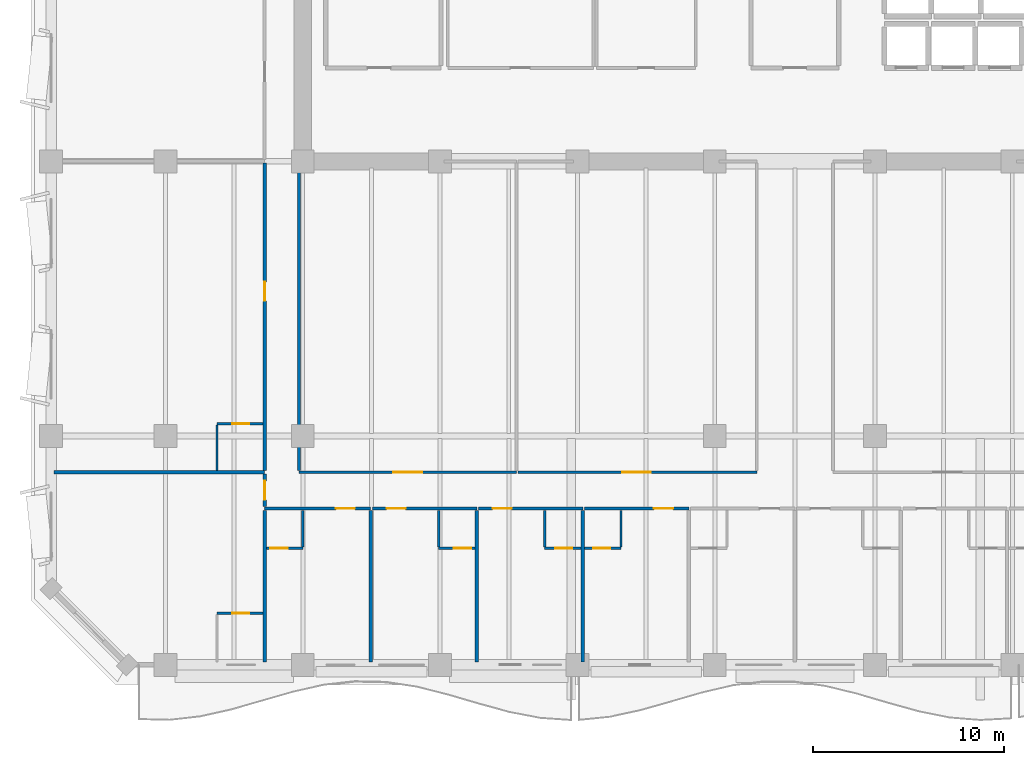
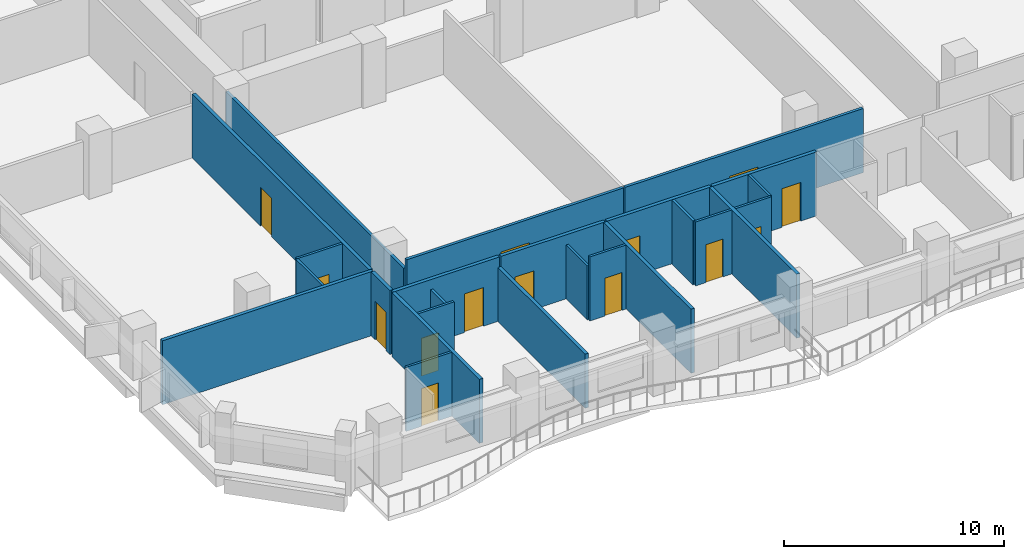
# One storey, part 4 of 15: 25 walls, 14 doors, 14 openings.
"""IFC4 building model written with IfcOpenShell, lengths in metres."""

from ifc_helpers import new_model, si_unit, direction, frame, frame_2d, origin, place, context, subcontext, project, spatial, rectangle, extrude, material, layer, layer_set, type_object, element, fill, save


model = new_model("IFC4")

# Units and contexts
model_context = context("Model", 3, precision=1e-05, world=origin(), true_north=direction((0.0, 1.0)))
body_context = subcontext(model_context, "Body", "Model", "MODEL_VIEW")
ifc_project = project(units=[si_unit("LENGTHUNIT", "METRE"), si_unit("AREAUNIT", "SQUARE_METRE"), si_unit("VOLUMEUNIT", "CUBIC_METRE"), si_unit("PLANEANGLEUNIT", "RADIAN"), si_unit("MASSUNIT", "GRAM", prefix="KILO")], contexts=[model_context])

# Site, building, storey
site_placement = place(None, origin())
site = spatial("IfcSite", under=ifc_project, at=site_placement, CompositionType="ELEMENT")
building_placement = place(site_placement, origin())
building = spatial("IfcBuilding", under=site, at=building_placement, Name="Kaelvorn Grand Hotel", CompositionType="ELEMENT")
storey_placement = place(building_placement, frame((0.0, 0.0, 142.949951171875)))
storey = spatial("IfcBuildingStorey", under=building, at=storey_placement, Name="L34", CompositionType="ELEMENT", Elevation=142.949951171875)

# Wall, opening, door
ifc_material_1 = material(Name="Moisture-Resistant Tile & Stud Board")
ifc_layer_1 = layer(ifc_material_1, 0.125)
ifc_layer_set_1 = layer_set([ifc_layer_1], Name="Moisture-Resistant Tile & Stud Board")
wall_type_1 = type_object("IfcWallType", Name="WL-PART-125-WET", PredefinedType="PARTITIONING", material=ifc_layer_set_1)
wall_1_placement = place(storey_placement, frame((14.294921875, 9.110107421875, 0.0), z_axis=(0.0, 0.0, 1.0), x_axis=(1.0, 0.0, 0.0)))
wall_1 = element("IfcWall", 1, at=wall_1_placement, inside=storey, type_object=wall_type_1, Name="L34 En-suite Bathroom L34-01 S Partition", PredefinedType="PARTITIONING", context=body_context, shape_type="SweptSolid", body=[
    extrude(rectangle(XDim=1.905029296875, YDim=0.125, at=frame_2d((0.95263671875, 0.0))), origin(), (0.0, 0.0, 1.0), 3.56005859375),
])
opening_1_placement = place(wall_1_placement, frame((0.205078125, 0.0, 0.0)))
opening_1 = element("IfcOpeningElement", 2, at=opening_1_placement, cuts=wall_1, Name="Opening DI4", PredefinedType="OPENING", context=body_context, shape_type="SweptSolid", body=[
    extrude(rectangle(XDim=0.89990234375, YDim=2.10009765625, at=frame_2d((0.449951171875, 1.050048828125))), frame((0.0, 0.072509765625, 0.0), z_axis=(0.0, -1.0, 0.0), x_axis=(1.0, 0.0, 0.0)), (0.0, 0.0, 1.0), 0.14501953125),
])
ifc_material_2 = material(Name="Timber Veneer Leaf", Category="wood")
door_type_1 = type_object("IfcDoorType", Name="DR-INT-BATH-900x2100", OperationType="NOTDEFINED", PredefinedType="DOOR", material=ifc_material_2)
door_1_placement = place(opening_1_placement, origin())
door_1 = element("IfcDoor", 3, at=door_1_placement, inside=storey, type_object=door_type_1, Name="L34 En-suite Bathroom L34-01 Door", OperationType="SINGLE_SWING_RIGHT", OverallHeight=2.10009765625, OverallWidth=0.89990234375, PredefinedType="DOOR", context=body_context, shape_type="SweptSolid", body=[
    extrude(rectangle(XDim=0.89990234375, YDim=2.10009765625, at=frame_2d((0.449951171875, 1.050048828125))), frame((0.0, 0.02490234375, 0.0), z_axis=(0.0, -1.0, 0.0), x_axis=(1.0, 0.0, 0.0)), (0.0, 0.0, 1.0), 0.050048828125),
])
fill(opening_1, door_1)

# Wall
wall_2_placement = place(storey_placement, frame((16.199951171875, 9.177490234375, 0.0), z_axis=(0.0, 0.0, 1.0), x_axis=(0.0, 1.0, 0.0)))
element("IfcWall", 4, at=wall_2_placement, inside=storey, type_object=wall_type_1, Name="L34 En-suite Bathroom L34-01 E Partition", PredefinedType="PARTITIONING", context=body_context, shape_type="SweptSolid", body=[
    extrude(rectangle(XDim=1.927490234375, YDim=0.125, at=frame_2d((0.9638671875, 0.0))), origin(), (0.0, 0.0, 1.0), 3.010009765625),
])

# Wall, opening, door
wall_3_placement = place(storey_placement, frame((23.320068359375, 9.110107421875, 0.0), z_axis=(0.0, 0.0, 1.0), x_axis=(1.0, 0.0, 0.0)))
wall_3 = element("IfcWall", 5, at=wall_3_placement, inside=storey, type_object=wall_type_1, Name="L34 En-suite Bathroom L34-02 S Partition", PredefinedType="PARTITIONING", context=body_context, shape_type="SweptSolid", body=[
    extrude(rectangle(XDim=1.905029296875, YDim=0.125, at=frame_2d((0.95263671875, 0.0))), origin(), (0.0, 0.0, 1.0), 3.56005859375),
])
opening_2_placement = place(wall_3_placement, frame((0.800048828125, 0.0, 0.0)))
opening_2 = element("IfcOpeningElement", 6, at=opening_2_placement, cuts=wall_3, Name="Opening DI4", PredefinedType="OPENING", context=body_context, shape_type="SweptSolid", body=[
    extrude(rectangle(XDim=0.89990234375, YDim=2.10009765625, at=frame_2d((0.449951171875, 1.050048828125))), frame((0.0, 0.072509765625, 0.0), z_axis=(0.0, -1.0, 0.0), x_axis=(1.0, 0.0, 0.0)), (0.0, 0.0, 1.0), 0.14501953125),
])
door_2_placement = place(opening_2_placement, origin())
door_2 = element("IfcDoor", 7, at=door_2_placement, inside=storey, type_object=door_type_1, Name="L34 En-suite Bathroom L34-02 Door", OperationType="SINGLE_SWING_RIGHT", OverallHeight=2.10009765625, OverallWidth=0.89990234375, PredefinedType="DOOR", context=body_context, shape_type="SweptSolid", body=[
    extrude(rectangle(XDim=0.89990234375, YDim=2.10009765625, at=frame_2d((0.449951171875, 1.050048828125))), frame((0.0, 0.02490234375, 0.0), z_axis=(0.0, -1.0, 0.0), x_axis=(1.0, 0.0, 0.0)), (0.0, 0.0, 1.0), 0.050048828125),
])
fill(opening_2, door_2)

# Wall
wall_4_placement = place(storey_placement, frame((23.320068359375, 9.177490234375, 0.0), z_axis=(0.0, 0.0, 1.0), x_axis=(0.0, 1.0, 0.0)))
element("IfcWall", 8, at=wall_4_placement, inside=storey, type_object=wall_type_1, Name="L34 En-suite Bathroom L34-02 W Partition", PredefinedType="PARTITIONING", context=body_context, shape_type="SweptSolid", body=[
    extrude(rectangle(XDim=1.927490234375, YDim=0.125, at=frame_2d((0.9638671875, 0.0))), origin(), (0.0, 0.0, 1.0), 3.010009765625),
])

# Wall, opening, door
wall_5_placement = place(storey_placement, frame((28.8798828125, 9.110107421875, 0.0), z_axis=(0.0, 0.0, 1.0), x_axis=(1.0, 0.0, 0.0)))
wall_5 = element("IfcWall", 9, at=wall_5_placement, inside=storey, type_object=wall_type_1, Name="L34 En-suite Bathroom L34-03 S Partition", PredefinedType="PARTITIONING", context=body_context, shape_type="SweptSolid", body=[
    extrude(rectangle(XDim=1.905029296875, YDim=0.125, at=frame_2d((0.95263671875, 0.0))), origin(), (0.0, 0.0, 1.0), 3.56005859375),
])
opening_3_placement = place(wall_5_placement, frame((0.550048828125, 0.0, 0.0)))
opening_3 = element("IfcOpeningElement", 10, at=opening_3_placement, cuts=wall_5, Name="Opening DI4", PredefinedType="OPENING", context=body_context, shape_type="SweptSolid", body=[
    extrude(rectangle(XDim=0.89990234375, YDim=2.10009765625, at=frame_2d((0.449951171875, 1.050048828125))), frame((0.0, 0.072509765625, 0.0), z_axis=(0.0, -1.0, 0.0), x_axis=(1.0, 0.0, 0.0)), (0.0, 0.0, 1.0), 0.14501953125),
])
door_3_placement = place(opening_3_placement, origin())
door_3 = element("IfcDoor", 11, at=door_3_placement, inside=storey, type_object=door_type_1, Name="L34 En-suite Bathroom L34-03 Door", OperationType="SINGLE_SWING_RIGHT", OverallHeight=2.10009765625, OverallWidth=0.89990234375, PredefinedType="DOOR", context=body_context, shape_type="SweptSolid", body=[
    extrude(rectangle(XDim=0.89990234375, YDim=2.10009765625, at=frame_2d((0.449951171875, 1.050048828125))), frame((0.0, 0.02490234375, 0.0), z_axis=(0.0, -1.0, 0.0), x_axis=(1.0, 0.0, 0.0)), (0.0, 0.0, 1.0), 0.050048828125),
])
fill(opening_3, door_3)

# Wall
wall_6_placement = place(storey_placement, frame((28.8798828125, 9.177490234375, 0.0), z_axis=(0.0, 0.0, 1.0), x_axis=(0.0, 1.0, 0.0)))
element("IfcWall", 12, at=wall_6_placement, inside=storey, type_object=wall_type_1, Name="L34 En-suite Bathroom L34-03 W Partition", PredefinedType="PARTITIONING", context=body_context, shape_type="SweptSolid", body=[
    extrude(rectangle(XDim=1.927490234375, YDim=0.125, at=frame_2d((0.9638671875, 0.0))), origin(), (0.0, 0.0, 1.0), 3.56005859375),
])

# Wall, opening, door
wall_7_placement = place(storey_placement, frame((30.97509765625, 9.110107421875, 0.0), z_axis=(0.0, 0.0, 1.0), x_axis=(1.0, 0.0, 0.0)))
wall_7 = element("IfcWall", 13, at=wall_7_placement, inside=storey, type_object=wall_type_1, Name="L34 En-suite Bathroom L34-04 S Partition", PredefinedType="PARTITIONING", context=body_context, shape_type="SweptSolid", body=[
    extrude(rectangle(XDim=1.90478515625, YDim=0.125, at=frame_2d((0.952392578125, 0.0))), origin(), (0.0, 0.0, 1.0), 3.56005859375),
])
opening_4_placement = place(wall_7_placement, frame((0.455078125, 0.0, 0.0)))
opening_4 = element("IfcOpeningElement", 14, at=opening_4_placement, cuts=wall_7, Name="Opening DI4", PredefinedType="OPENING", context=body_context, shape_type="SweptSolid", body=[
    extrude(rectangle(XDim=0.89990234375, YDim=2.10009765625, at=frame_2d((0.449951171875, 1.050048828125))), frame((0.0, 0.072509765625, 0.0), z_axis=(0.0, -1.0, 0.0), x_axis=(1.0, 0.0, 0.0)), (0.0, 0.0, 1.0), 0.14501953125),
])
door_4_placement = place(opening_4_placement, origin())
door_4 = element("IfcDoor", 15, at=door_4_placement, inside=storey, type_object=door_type_1, Name="L34 En-suite Bathroom L34-04 Door", OperationType="SINGLE_SWING_RIGHT", OverallHeight=2.10009765625, OverallWidth=0.89990234375, PredefinedType="DOOR", context=body_context, shape_type="SweptSolid", body=[
    extrude(rectangle(XDim=0.89990234375, YDim=2.10009765625, at=frame_2d((0.449951171875, 1.050048828125))), frame((0.0, 0.02490234375, 0.0), z_axis=(0.0, -1.0, 0.0), x_axis=(1.0, 0.0, 0.0)), (0.0, 0.0, 1.0), 0.050048828125),
])
fill(opening_4, door_4)

# Wall
wall_8_placement = place(storey_placement, frame((32.8798828125, 9.177490234375, 0.0), z_axis=(0.0, 0.0, 1.0), x_axis=(0.0, 1.0, 0.0)))
element("IfcWall", 16, at=wall_8_placement, inside=storey, type_object=wall_type_1, Name="L34 En-suite Bathroom L34-04 E Partition", PredefinedType="PARTITIONING", context=body_context, shape_type="SweptSolid", body=[
    extrude(rectangle(XDim=1.927490234375, YDim=0.125, at=frame_2d((0.9638671875, 0.0))), origin(), (0.0, 0.0, 1.0), 3.56005859375),
])

# Wall, opening, door
wall_9_placement = place(storey_placement, frame((11.699951171875, 5.699951171875, 0.0), z_axis=(0.0, 0.0, 1.0), x_axis=(1.0, 0.0, 0.0)))
wall_9 = element("IfcWall", 17, at=wall_9_placement, inside=storey, type_object=wall_type_1, Name="L34 En-suite Bathroom L34-11 N Partition", PredefinedType="PARTITIONING", context=body_context, shape_type="SweptSolid", body=[
    extrude(rectangle(XDim=2.405029296875, YDim=0.125, at=frame_2d((1.20263671875, 0.0))), origin(), (0.0, 0.0, 1.0), 3.56005859375),
])
opening_5_placement = place(wall_9_placement, frame((0.800048828125, 0.0, 0.0)))
opening_5 = element("IfcOpeningElement", 18, at=opening_5_placement, cuts=wall_9, Name="Opening DI4", PredefinedType="OPENING", context=body_context, shape_type="SweptSolid", body=[
    extrude(rectangle(XDim=0.89990234375, YDim=2.10009765625, at=frame_2d((0.449951171875, 1.050048828125))), frame((0.0, 0.072509765625, 0.0), z_axis=(0.0, -1.0, 0.0), x_axis=(1.0, 0.0, 0.0)), (0.0, 0.0, 1.0), 0.14501953125),
])
door_5_placement = place(opening_5_placement, origin())
door_5 = element("IfcDoor", 19, at=door_5_placement, inside=storey, type_object=door_type_1, Name="L34 En-suite Bathroom L34-11 Door", OperationType="SINGLE_SWING_RIGHT", OverallHeight=2.10009765625, OverallWidth=0.89990234375, PredefinedType="DOOR", context=body_context, shape_type="SweptSolid", body=[
    extrude(rectangle(XDim=0.89990234375, YDim=2.10009765625, at=frame_2d((0.449951171875, 1.050048828125))), frame((0.0, 0.02490234375, 0.0), z_axis=(0.0, -1.0, 0.0), x_axis=(1.0, 0.0, 0.0)), (0.0, 0.0, 1.0), 0.050048828125),
])
fill(opening_5, door_5)

wall_10_placement = place(storey_placement, frame((11.699951171875, 15.64990234375, 0.0), z_axis=(0.0, 0.0, 1.0), x_axis=(1.0, 0.0, 0.0)))
wall_10 = element("IfcWall", 20, at=wall_10_placement, inside=storey, type_object=wall_type_1, Name="L34 En-suite Bathroom L34-12 N Partition", PredefinedType="PARTITIONING", context=body_context, shape_type="SweptSolid", body=[
    extrude(rectangle(XDim=2.405029296875, YDim=0.125, at=frame_2d((1.20263671875, 0.0))), origin(), (0.0, 0.0, 1.0), 3.56005859375),
])
opening_6_placement = place(wall_10_placement, frame((0.800048828125, 0.0, 0.0)))
opening_6 = element("IfcOpeningElement", 21, at=opening_6_placement, cuts=wall_10, Name="Opening DI4", PredefinedType="OPENING", context=body_context, shape_type="SweptSolid", body=[
    extrude(rectangle(XDim=0.89990234375, YDim=2.10009765625, at=frame_2d((0.449951171875, 1.050048828125))), frame((0.0, 0.072509765625, 0.0), z_axis=(0.0, -1.0, 0.0), x_axis=(1.0, 0.0, 0.0)), (0.0, 0.0, 1.0), 0.14501953125),
])
door_6_placement = place(opening_6_placement, origin())
door_6 = element("IfcDoor", 22, at=door_6_placement, inside=storey, type_object=door_type_1, Name="L34 En-suite Bathroom L34-12 Door", OperationType="SINGLE_SWING_RIGHT", OverallHeight=2.10009765625, OverallWidth=0.89990234375, PredefinedType="DOOR", context=body_context, shape_type="SweptSolid", body=[
    extrude(rectangle(XDim=0.89990234375, YDim=2.10009765625, at=frame_2d((0.449951171875, 1.050048828125))), frame((0.0, 0.02490234375, 0.0), z_axis=(0.0, -1.0, 0.0), x_axis=(1.0, 0.0, 0.0)), (0.0, 0.0, 1.0), 0.050048828125),
])
fill(opening_6, door_6)

# Wall
wall_11_placement = place(storey_placement, frame((11.699951171875, 13.195068359375, 0.0), z_axis=(0.0, 0.0, 1.0), x_axis=(0.0, 1.0, 0.0)))
element("IfcWall", 23, at=wall_11_placement, inside=storey, type_object=wall_type_1, Name="L34 En-suite Bathroom L34-12 W Partition", PredefinedType="PARTITIONING", context=body_context, shape_type="SweptSolid", body=[
    extrude(rectangle(XDim=2.387451171875, YDim=0.125, at=frame_2d((1.19384765625, 0.0))), origin(), (0.0, 0.0, 1.0), 3.56005859375),
])

# Wall, opening, door
ifc_material_3 = material(Name="Acoustic Gypsum & Stud Partition")
ifc_layer_2 = layer(ifc_material_3, 0.14990234375)
ifc_layer_set_2 = layer_set([ifc_layer_2], Name="Acoustic Gypsum & Stud Partition")
wall_type_2 = type_object("IfcWallType", Name="WL-PART-150-EI60", PredefinedType="PARTITIONING", material=ifc_layer_set_2)
wall_12_placement = place(storey_placement, frame((16.0, 13.10009765625, 0.0), z_axis=(0.0, 0.0, 1.0), x_axis=(1.0, 0.0, 0.0)))
wall_12 = element("IfcWall", 24, at=wall_12_placement, inside=storey, type_object=wall_type_2, Name="L34 Private Dining Restaurant S Partition", PredefinedType="PARTITIONING", context=body_context, shape_type="SweptSolid", body=[
    extrude(rectangle(XDim=11.39990234375, YDim=0.14990234375, at=frame_2d((5.699951171875, 0.0))), origin(), (0.0, 0.0, 1.0), 3.56005859375),
])
opening_7_placement = place(wall_12_placement, frame((4.949951171875, 0.0, 0.0)))
opening_7 = element("IfcOpeningElement", 25, at=opening_7_placement, cuts=wall_12, Name="Opening DI5", PredefinedType="OPENING", context=body_context, shape_type="SweptSolid", body=[
    extrude(rectangle(XDim=1.5, YDim=2.25, at=frame_2d((0.75, 1.125))), frame((0.0, 0.0849609375, 0.0), z_axis=(0.0, -1.0, 0.0), x_axis=(1.0, 0.0, 0.0)), (0.0, 0.0, 1.0), 0.169921875),
])
ifc_material_4 = material(Name="Timber Veneer Fire Leaf", Category="wood")
door_type_2 = type_object("IfcDoorType", Name="DR-INT-SALON-1500x2250", OperationType="DOUBLE_DOOR_SINGLE_SWING", PredefinedType="DOOR", material=ifc_material_4)
door_7_placement = place(opening_7_placement, origin())
door_7 = element("IfcDoor", 26, at=door_7_placement, inside=storey, type_object=door_type_2, Name="L34 Private Dining Restaurant Door", OperationType="DOUBLE_DOOR_SINGLE_SWING", OverallHeight=2.25, OverallWidth=1.5, PredefinedType="DOOR", context=body_context, shape_type="SweptSolid", body=[
    extrude(rectangle(XDim=1.5, YDim=2.25, at=frame_2d((0.75, 1.125))), frame((0.0, 0.02490234375, 0.0), z_axis=(0.0, -1.0, 0.0), x_axis=(1.0, 0.0, 0.0)), (0.0, 0.0, 1.0), 0.050048828125),
])
fill(opening_7, door_7)

# Wall
wall_13_placement = place(storey_placement, frame((16.0, 13.179931640625, 0.0), z_axis=(0.0, 0.0, 1.0), x_axis=(0.0, 1.0, 0.0)))
element("IfcWall", 27, at=wall_13_placement, inside=storey, type_object=wall_type_2, Name="L34 Private Dining Restaurant W Partition", PredefinedType="PARTITIONING", context=body_context, shape_type="SweptSolid", body=[
    extrude(rectangle(XDim=16.2099609375, YDim=0.14990234375, at=frame_2d((8.10498046875, 0.0))), origin(), (0.0, 0.0, 1.0), 3.010009765625),
])

# Wall, opening, door
wall_14_placement = place(storey_placement, frame((27.47998046875, 13.10009765625, 0.0), z_axis=(0.0, 0.0, 1.0), x_axis=(1.0, 0.0, 0.0)))
wall_14 = element("IfcWall", 28, at=wall_14_placement, inside=storey, type_object=wall_type_2, Name="L34 Hospitality Tea Kitchen S Partition", PredefinedType="PARTITIONING", context=body_context, shape_type="SweptSolid", body=[
    extrude(rectangle(XDim=12.52001953125, YDim=0.14990234375, at=frame_2d((6.260009765625, 0.0))), origin(), (0.0, 0.0, 1.0), 3.56005859375),
])
opening_8_placement = place(wall_14_placement, frame((5.469970703125, 0.0, 0.0)))
opening_8 = element("IfcOpeningElement", 29, at=opening_8_placement, cuts=wall_14, Name="Opening DI5", PredefinedType="OPENING", context=body_context, shape_type="SweptSolid", body=[
    extrude(rectangle(XDim=1.5, YDim=2.25, at=frame_2d((0.75, 1.125))), frame((0.0, 0.0849609375, 0.0), z_axis=(0.0, -1.0, 0.0), x_axis=(1.0, 0.0, 0.0)), (0.0, 0.0, 1.0), 0.169921875),
])
door_8_placement = place(opening_8_placement, origin())
door_8 = element("IfcDoor", 30, at=door_8_placement, inside=storey, type_object=door_type_2, Name="L34 Hospitality Tea Kitchen Door", OperationType="DOUBLE_DOOR_SINGLE_SWING", OverallHeight=2.25, OverallWidth=1.5, PredefinedType="DOOR", context=body_context, shape_type="SweptSolid", body=[
    extrude(rectangle(XDim=1.5, YDim=2.25, at=frame_2d((0.75, 1.125))), frame((0.0, 0.02490234375, 0.0), z_axis=(0.0, -1.0, 0.0), x_axis=(1.0, 0.0, 0.0)), (0.0, 0.0, 1.0), 0.050048828125),
])
fill(opening_8, door_8)

ifc_layer_3 = layer(ifc_material_3, 0.179931640625)
ifc_layer_set_3 = layer_set([ifc_layer_3], Name="Acoustic Gypsum & Stud Partition")
wall_type_3 = type_object("IfcWallType", Name="WL-PART-180-EI60", PredefinedType="PARTITIONING", material=ifc_layer_set_3)
wall_15_placement = place(storey_placement, frame((14.199951171875, 11.199951171875, 0.0), z_axis=(0.0, 0.0, 1.0), x_axis=(1.0, 0.0, 0.0)))
wall_15 = element("IfcWall", 31, at=wall_15_placement, inside=storey, type_object=wall_type_3, Name="L34 Mid-Rise Signature Suite L34-01 N Partition", PredefinedType="PARTITIONING", context=body_context, shape_type="SweptSolid", body=[
    extrude(rectangle(XDim=5.56005859375, YDim=0.179931640625, at=frame_2d((2.780029296875, 0.0))), origin(), (0.0, 0.0, 1.0), 3.56005859375),
])
opening_9_placement = place(wall_15_placement, frame((3.72998046875, 0.0, 0.0)))
opening_9 = element("IfcOpeningElement", 32, at=opening_9_placement, cuts=wall_15, Name="Opening DI3", PredefinedType="OPENING", context=body_context, shape_type="SweptSolid", body=[
    extrude(rectangle(XDim=1.0, YDim=2.14990234375, at=frame_2d((0.5, 1.074951171875))), frame((0.0, 0.10009765625, 0.0), z_axis=(0.0, -1.0, 0.0), x_axis=(1.0, 0.0, 0.0)), (0.0, 0.0, 1.0), 0.199951171875),
])
door_type_3 = type_object("IfcDoorType", Name="DR-INT-GUEST-1000x2150", OperationType="NOTDEFINED", PredefinedType="DOOR", material=ifc_material_4)
door_9_placement = place(opening_9_placement, origin())
door_9 = element("IfcDoor", 33, at=door_9_placement, inside=storey, type_object=door_type_3, Name="L34 Mid-Rise Signature Suite L34-01 Door", OperationType="SINGLE_SWING_LEFT", OverallHeight=2.14990234375, OverallWidth=1.0, PredefinedType="DOOR", context=body_context, shape_type="SweptSolid", body=[
    extrude(rectangle(XDim=1.0, YDim=2.14990234375, at=frame_2d((0.5, 1.074951171875))), frame((0.0, 0.02490234375, 0.0), z_axis=(0.0, -1.0, 0.0), x_axis=(1.0, 0.0, 0.0)), (0.0, 0.0, 1.0), 0.050048828125),
])
fill(opening_9, door_9)

# Walls
wall_16_placement = place(storey_placement, frame((14.199951171875, 3.14990234375, 0.0), z_axis=(0.0, 0.0, 1.0), x_axis=(0.0, 1.0, 0.0)))
element("IfcWall", 34, at=wall_16_placement, inside=storey, type_object=wall_type_3, Name="L34 Mid-Rise Signature Suite L34-01 W Partition", PredefinedType="PARTITIONING", context=body_context, shape_type="SweptSolid", body=[
    extrude(rectangle(XDim=7.955078125, YDim=0.179931640625, at=frame_2d((3.9775390625, 0.0))), origin(), (0.0, 0.0, 1.0), 3.56005859375),
])
wall_17_placement = place(storey_placement, frame((19.760009765625, 3.14990234375, 0.0), z_axis=(0.0, 0.0, 1.0), x_axis=(0.0, 1.0, 0.0)))
element("IfcWall", 35, at=wall_17_placement, inside=storey, type_object=wall_type_3, Name="L34 Mid-Rise Signature Suite L34-01 E Partition", PredefinedType="PARTITIONING", context=body_context, shape_type="SweptSolid", body=[
    extrude(rectangle(XDim=7.955078125, YDim=0.179931640625, at=frame_2d((3.9775390625, 0.0))), origin(), (0.0, 0.0, 1.0), 3.010009765625),
])

# Wall, opening, door
wall_18_placement = place(storey_placement, frame((19.85498046875, 11.199951171875, 0.0), z_axis=(0.0, 0.0, 1.0), x_axis=(1.0, 0.0, 0.0)))
wall_18 = element("IfcWall", 36, at=wall_18_placement, inside=storey, type_object=wall_type_3, Name="L34 Superior King Guest Room L34-02 N Partition", PredefinedType="PARTITIONING", context=body_context, shape_type="SweptSolid", body=[
    extrude(rectangle(XDim=5.465087890625, YDim=0.179931640625, at=frame_2d((2.732421875, 0.0))), origin(), (0.0, 0.0, 1.0), 3.56005859375),
])
opening_10_placement = place(wall_18_placement, frame((0.735107421875, 0.0, 0.0)))
opening_10 = element("IfcOpeningElement", 37, at=opening_10_placement, cuts=wall_18, Name="Opening DI3", PredefinedType="OPENING", context=body_context, shape_type="SweptSolid", body=[
    extrude(rectangle(XDim=1.0, YDim=2.14990234375, at=frame_2d((0.5, 1.074951171875))), frame((0.0, 0.10009765625, 0.0), z_axis=(0.0, -1.0, 0.0), x_axis=(1.0, 0.0, 0.0)), (0.0, 0.0, 1.0), 0.199951171875),
])
door_10_placement = place(opening_10_placement, origin())
door_10 = element("IfcDoor", 38, at=door_10_placement, inside=storey, type_object=door_type_3, Name="L34 Superior King Guest Room L34-02 Door", OperationType="SINGLE_SWING_LEFT", OverallHeight=2.14990234375, OverallWidth=1.0, PredefinedType="DOOR", context=body_context, shape_type="SweptSolid", body=[
    extrude(rectangle(XDim=1.0, YDim=2.14990234375, at=frame_2d((0.5, 1.074951171875))), frame((0.0, 0.02490234375, 0.0), z_axis=(0.0, -1.0, 0.0), x_axis=(1.0, 0.0, 0.0)), (0.0, 0.0, 1.0), 0.050048828125),
])
fill(opening_10, door_10)

# Wall
wall_19_placement = place(storey_placement, frame((25.320068359375, 3.14990234375, 0.0), z_axis=(0.0, 0.0, 1.0), x_axis=(0.0, 1.0, 0.0)))
element("IfcWall", 39, at=wall_19_placement, inside=storey, type_object=wall_type_3, Name="L34 Superior King Guest Room L34-02 E Partition", PredefinedType="PARTITIONING", context=body_context, shape_type="SweptSolid", body=[
    extrude(rectangle(XDim=7.955078125, YDim=0.179931640625, at=frame_2d((3.9775390625, 0.0))), origin(), (0.0, 0.0, 1.0), 3.56005859375),
])

# Wall, opening, door
wall_20_placement = place(storey_placement, frame((25.4150390625, 11.199951171875, 0.0), z_axis=(0.0, 0.0, 1.0), x_axis=(1.0, 0.0, 0.0)))
wall_20 = element("IfcWall", 40, at=wall_20_placement, inside=storey, type_object=wall_type_3, Name="L34 Mid-Rise Signature Suite L34-03 N Partition", PredefinedType="PARTITIONING", context=body_context, shape_type="SweptSolid", body=[
    extrude(rectangle(XDim=5.46484375, YDim=0.179931640625, at=frame_2d((2.732421875, 0.0))), origin(), (0.0, 0.0, 1.0), 3.56005859375),
])
opening_11_placement = place(wall_20_placement, frame((0.735107421875, 0.0, 0.0)))
opening_11 = element("IfcOpeningElement", 41, at=opening_11_placement, cuts=wall_20, Name="Opening DI3", PredefinedType="OPENING", context=body_context, shape_type="SweptSolid", body=[
    extrude(rectangle(XDim=1.0, YDim=2.14990234375, at=frame_2d((0.5, 1.074951171875))), frame((0.0, 0.10009765625, 0.0), z_axis=(0.0, -1.0, 0.0), x_axis=(1.0, 0.0, 0.0)), (0.0, 0.0, 1.0), 0.199951171875),
])
door_11_placement = place(opening_11_placement, origin())
door_11 = element("IfcDoor", 42, at=door_11_placement, inside=storey, type_object=door_type_3, Name="L34 Mid-Rise Signature Suite L34-03 Door", OperationType="SINGLE_SWING_LEFT", OverallHeight=2.14990234375, OverallWidth=1.0, PredefinedType="DOOR", context=body_context, shape_type="SweptSolid", body=[
    extrude(rectangle(XDim=1.0, YDim=2.14990234375, at=frame_2d((0.5, 1.074951171875))), frame((0.0, 0.02490234375, 0.0), z_axis=(0.0, -1.0, 0.0), x_axis=(1.0, 0.0, 0.0)), (0.0, 0.0, 1.0), 0.050048828125),
])
fill(opening_11, door_11)

# Wall
wall_21_placement = place(storey_placement, frame((30.8798828125, 3.14990234375, 0.0), z_axis=(0.0, 0.0, 1.0), x_axis=(0.0, 1.0, 0.0)))
element("IfcWall", 43, at=wall_21_placement, inside=storey, type_object=wall_type_3, Name="L34 Mid-Rise Signature Suite L34-03 E Partition", PredefinedType="PARTITIONING", context=body_context, shape_type="SweptSolid", body=[
    extrude(rectangle(XDim=7.955078125, YDim=0.179931640625, at=frame_2d((3.9775390625, 0.0))), origin(), (0.0, 0.0, 1.0), 3.56005859375),
])

# Wall, opening, door
wall_22_placement = place(storey_placement, frame((30.97509765625, 11.199951171875, 0.0), z_axis=(0.0, 0.0, 1.0), x_axis=(1.0, 0.0, 0.0)))
wall_22 = element("IfcWall", 44, at=wall_22_placement, inside=storey, type_object=wall_type_3, Name="L34 Superior King Guest Room L34-04 N Partition", PredefinedType="PARTITIONING", context=body_context, shape_type="SweptSolid", body=[
    extrude(rectangle(XDim=5.46484375, YDim=0.179931640625, at=frame_2d((2.732421875, 0.0))), origin(), (0.0, 0.0, 1.0), 3.56005859375),
])
opening_12_placement = place(wall_22_placement, frame((3.635009765625, 0.0, 0.0)))
opening_12 = element("IfcOpeningElement", 45, at=opening_12_placement, cuts=wall_22, Name="Opening DI3", PredefinedType="OPENING", context=body_context, shape_type="SweptSolid", body=[
    extrude(rectangle(XDim=1.0, YDim=2.14990234375, at=frame_2d((0.5, 1.074951171875))), frame((0.0, 0.10009765625, 0.0), z_axis=(0.0, -1.0, 0.0), x_axis=(1.0, 0.0, 0.0)), (0.0, 0.0, 1.0), 0.199951171875),
])
door_12_placement = place(opening_12_placement, origin())
door_12 = element("IfcDoor", 46, at=door_12_placement, inside=storey, type_object=door_type_3, Name="L34 Superior King Guest Room L34-04 Door", OperationType="SINGLE_SWING_LEFT", OverallHeight=2.14990234375, OverallWidth=1.0, PredefinedType="DOOR", context=body_context, shape_type="SweptSolid", body=[
    extrude(rectangle(XDim=1.0, YDim=2.14990234375, at=frame_2d((0.5, 1.074951171875))), frame((0.0, 0.02490234375, 0.0), z_axis=(0.0, -1.0, 0.0), x_axis=(1.0, 0.0, 0.0)), (0.0, 0.0, 1.0), 0.050048828125),
])
fill(opening_12, door_12)

# Wall
wall_23_placement = place(storey_placement, frame((3.14990234375, 13.10009765625, 0.0), z_axis=(0.0, 0.0, 1.0), x_axis=(1.0, 0.0, 0.0)))
element("IfcWall", 47, at=wall_23_placement, inside=storey, type_object=wall_type_3, Name="L34 South-West Chamfer Suite L34-11 N Partition", PredefinedType="PARTITIONING", context=body_context, shape_type="SweptSolid", body=[
    extrude(rectangle(XDim=11.050048828125, YDim=0.179931640625, at=frame_2d((5.52490234375, 0.0))), origin(), (0.0, 0.0, 1.0), 3.56005859375),
])

# Wall, opening, door
wall_24_placement = place(storey_placement, frame((14.199951171875, 11.294921875, 0.0), z_axis=(0.0, 0.0, 1.0), x_axis=(0.0, 1.0, 0.0)))
wall_24 = element("IfcWall", 48, at=wall_24_placement, inside=storey, type_object=wall_type_3, Name="L34 South-West Chamfer Suite L34-11 E Partition", PredefinedType="PARTITIONING", context=body_context, shape_type="SweptSolid", body=[
    extrude(rectangle(XDim=1.7099609375, YDim=0.179931640625, at=frame_2d((0.85498046875, 0.0))), origin(), (0.0, 0.0, 1.0), 3.56005859375),
])
opening_13_placement = place(wall_24_placement, frame((0.35498046875, 0.0, 0.0)))
opening_13 = element("IfcOpeningElement", 49, at=opening_13_placement, cuts=wall_24, Name="Opening DI3", PredefinedType="OPENING", context=body_context, shape_type="SweptSolid", body=[
    extrude(rectangle(XDim=1.0, YDim=2.14990234375, at=frame_2d((0.5, 1.074951171875))), frame((0.0, 0.10009765625, 0.0), z_axis=(0.0, -1.0, 0.0), x_axis=(1.0, 0.0, 0.0)), (0.0, 0.0, 1.0), 0.199951171875),
])
door_13_placement = place(opening_13_placement, origin())
door_13 = element("IfcDoor", 50, at=door_13_placement, inside=storey, type_object=door_type_3, Name="L34 South-West Chamfer Suite L34-11 Door", OperationType="SINGLE_SWING_LEFT", OverallHeight=2.14990234375, OverallWidth=1.0, PredefinedType="DOOR", context=body_context, shape_type="SweptSolid", body=[
    extrude(rectangle(XDim=1.0, YDim=2.14990234375, at=frame_2d((0.5, 1.074951171875))), frame((0.0, 0.02490234375, 0.0), z_axis=(0.0, -1.0, 0.0), x_axis=(1.0, 0.0, 0.0)), (0.0, 0.0, 1.0), 0.050048828125),
])
fill(opening_13, door_13)

wall_25_placement = place(storey_placement, frame((14.199951171875, 13.195068359375, 0.0), z_axis=(0.0, 0.0, 1.0), x_axis=(0.0, 1.0, 0.0)))
wall_25 = element("IfcWall", 51, at=wall_25_placement, inside=storey, type_object=wall_type_3, Name="L34 West End Panoramic Suite L34-12 E Partition", PredefinedType="PARTITIONING", context=body_context, shape_type="SweptSolid", body=[
    extrude(rectangle(XDim=16.10986328125, YDim=0.179931640625, at=frame_2d((8.054931640625, 0.0))), origin(), (0.0, 0.0, 1.0), 3.56005859375),
])
opening_14_placement = place(wall_25_placement, frame((8.889892578125, 0.0, 0.0)))
opening_14 = element("IfcOpeningElement", 52, at=opening_14_placement, cuts=wall_25, Name="Opening DI3", PredefinedType="OPENING", context=body_context, shape_type="SweptSolid", body=[
    extrude(rectangle(XDim=1.0, YDim=2.14990234375, at=frame_2d((0.5, 1.074951171875))), frame((0.0, 0.10009765625, 0.0), z_axis=(0.0, -1.0, 0.0), x_axis=(1.0, 0.0, 0.0)), (0.0, 0.0, 1.0), 0.199951171875),
])
door_14_placement = place(opening_14_placement, origin())
door_14 = element("IfcDoor", 53, at=door_14_placement, inside=storey, type_object=door_type_3, Name="L34 West End Panoramic Suite L34-12 Door", OperationType="SINGLE_SWING_LEFT", OverallHeight=2.14990234375, OverallWidth=1.0, PredefinedType="DOOR", context=body_context, shape_type="SweptSolid", body=[
    extrude(rectangle(XDim=1.0, YDim=2.14990234375, at=frame_2d((0.5, 1.074951171875))), frame((0.0, 0.02490234375, 0.0), z_axis=(0.0, -1.0, 0.0), x_axis=(1.0, 0.0, 0.0)), (0.0, 0.0, 1.0), 0.050048828125),
])
fill(opening_14, door_14)

save(model, "model.ifc")
